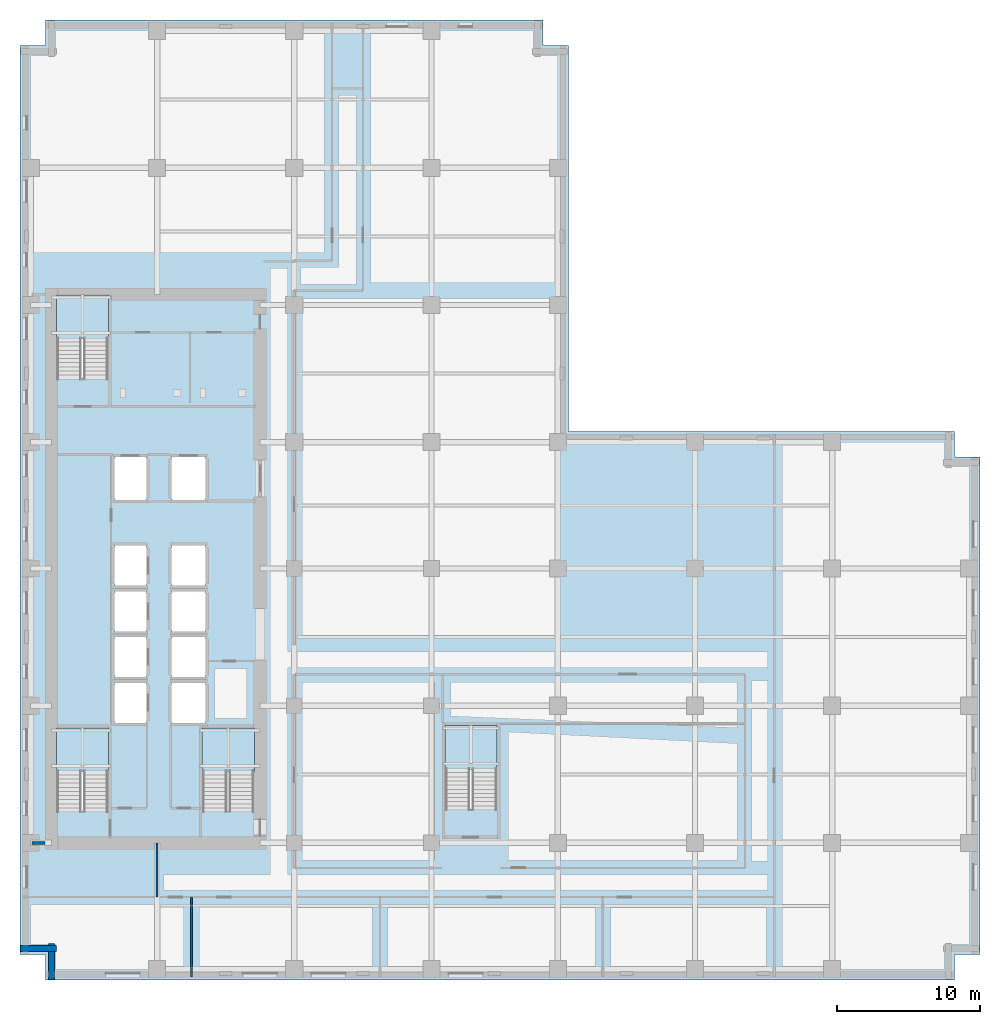
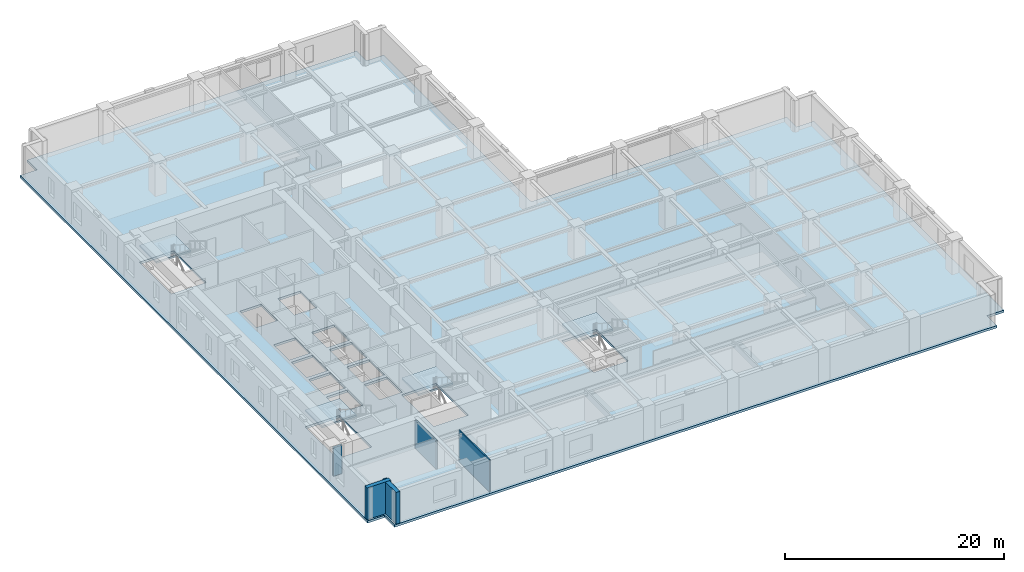
# One storey, part 3 of 13: 5 slabs, 5 walls, 4 elements without a shape of their own.
"""IFC4 building model written with IfcOpenShell, lengths in metres."""

from ifc_helpers import new_model, si_unit, direction, frame, frame_2d, origin, place, context, subcontext, project, spatial, polyline, rectangle, outline, extrude, material, layer, layer_set, type_object, element, aggregate, save


model = new_model("IFC4")

# Units and contexts
model_context = context("Model", 3, precision=1e-05, world=origin(), true_north=direction((0.0, 1.0)))
body_context = subcontext(model_context, "Body", "Model", "MODEL_VIEW")
ifc_project = project(units=[si_unit("LENGTHUNIT", "METRE"), si_unit("AREAUNIT", "SQUARE_METRE"), si_unit("VOLUMEUNIT", "CUBIC_METRE"), si_unit("PLANEANGLEUNIT", "RADIAN"), si_unit("MASSUNIT", "GRAM", prefix="KILO")], contexts=[model_context])

# Site, building, storey
site_placement = place(None, origin())
site = spatial("IfcSite", under=ifc_project, at=site_placement, CompositionType="ELEMENT")
building_placement = place(site_placement, origin())
building = spatial("IfcBuilding", under=site, at=building_placement, Name="Norrvale University Quadrangle", CompositionType="ELEMENT")
storey_placement = place(building_placement, frame((0.0, 0.0, 43.199951171875)))
storey = spatial("IfcBuildingStorey", under=building, at=storey_placement, Name="L10", CompositionType="ELEMENT", Elevation=43.199951171875)

# Stair, slab
ifc_material_1 = material(Name="Concrete C40/50", Category="concrete")
stair_type = type_object("IfcStairType", Name="Stair Tower Typ 3800", PredefinedType="TWO_STRAIGHT_RUN_STAIR", material=ifc_material_1)
stair_1_placement = place(storey_placement, origin())
stair_1 = element("IfcStair", 1, at=stair_1_placement, inside=storey, type_object=stair_type, Name="Exit Stair ST-01 L10", PredefinedType="TWO_STRAIGHT_RUN_STAIR")
ifc_layer_1 = layer(ifc_material_1, 0.199951171875, Name="Concrete C40/50")
ifc_layer_set_1 = layer_set([ifc_layer_1], Name="Concrete C40/50")
slab_type_1 = type_object("IfcSlabType", Name="Slab Landing 200", PredefinedType="LANDING", material=ifc_layer_set_1)
slab_1_placement = place(storey_placement, frame((0.0, 0.0, 1.699951171875)))
slab_1 = element("IfcSlab", 2, at=slab_1_placement, type_object=slab_type_1, Name="Exit Stair ST-01 L10 Mid Landing", PredefinedType="LANDING", context=body_context, shape_type="SweptSolid", body=[
    extrude(outline(polyline([(2.550048828125, 14.590087890625), (6.199951171875, 14.590087890625), (6.199951171875, 17.64990234375), (2.550048828125, 17.64990234375), (2.550048828125, 14.590087890625)])), origin(), (0.0, 0.0, 1.0), 0.2001953125),
])
aggregate(stair_1, [slab_1])

stair_2_placement = place(storey_placement, origin())
stair_2 = element("IfcStair", 3, at=stair_2_placement, inside=storey, type_object=stair_type, Name="Exit Stair ST-02 L10", PredefinedType="TWO_STRAIGHT_RUN_STAIR")
slab_2_placement = place(storey_placement, frame((0.0, 0.0, 1.699951171875)))
slab_2 = element("IfcSlab", 4, at=slab_2_placement, type_object=slab_type_1, Name="Exit Stair ST-02 L10 Mid Landing", PredefinedType="LANDING", context=body_context, shape_type="SweptSolid", body=[
    extrude(outline(polyline([(2.550048828125, 44.889892578125), (6.199951171875, 44.889892578125), (6.199951171875, 47.949951171875), (2.550048828125, 47.949951171875), (2.550048828125, 44.889892578125)])), origin(), (0.0, 0.0, 1.0), 0.2001953125),
])
aggregate(stair_2, [slab_2])

stair_3_placement = place(storey_placement, origin())
stair_3 = element("IfcStair", 5, at=stair_3_placement, inside=storey, type_object=stair_type, Name="Exit Stair ST-03 L10", PredefinedType="TWO_STRAIGHT_RUN_STAIR")
slab_3_placement = place(storey_placement, frame((0.0, 0.0, 1.699951171875)))
slab_3 = element("IfcSlab", 6, at=slab_3_placement, type_object=slab_type_1, Name="Exit Stair ST-03 L10 Mid Landing", PredefinedType="LANDING", context=body_context, shape_type="SweptSolid", body=[
    extrude(outline(polyline([(12.75, 14.590087890625), (16.39990234375, 14.590087890625), (16.39990234375, 17.64990234375), (12.75, 17.64990234375), (12.75, 14.590087890625)])), origin(), (0.0, 0.0, 1.0), 0.2001953125),
])
aggregate(stair_3, [slab_3])

stair_4_placement = place(storey_placement, origin())
stair_4 = element("IfcStair", 7, at=stair_4_placement, inside=storey, type_object=stair_type, Name="Exit Stair ST-04 L10", PredefinedType="TWO_STRAIGHT_RUN_STAIR")
slab_4_placement = place(storey_placement, frame((0.0, 0.0, 1.699951171875)))
slab_4 = element("IfcSlab", 8, at=slab_4_placement, type_object=slab_type_1, Name="Exit Stair ST-04 L10 Mid Landing", PredefinedType="LANDING", context=body_context, shape_type="SweptSolid", body=[
    extrude(outline(polyline([(29.75, 14.739990234375), (33.39990234375, 14.739990234375), (33.39990234375, 17.800048828125), (29.75, 17.800048828125), (29.75, 14.739990234375)])), origin(), (0.0, 0.0, 1.0), 0.2001953125),
])
aggregate(stair_4, [slab_4])

# Slab
ifc_layer_2 = layer(ifc_material_1, 0.260009765625, Name="Concrete C40/50")
ifc_layer_set_2 = layer_set([ifc_layer_2], Name="Concrete C40/50")
slab_type_2 = type_object("IfcSlabType", Name="Slab Tower Typ 260", PredefinedType="FLOOR", material=ifc_layer_set_2)
slab_5_placement = place(storey_placement, frame((0.0, 0.0, -0.260009765625)))
element("IfcSlab", 9, at=slab_5_placement, inside=storey, type_object=slab_type_2, Name="Tower L10 Floor Slab", PredefinedType="FLOOR", context=body_context, shape_type="SweptSolid", body=[
    extrude(outline(polyline([(1.800048828125, 0.0), (65.39990234375, 0.0), (65.39990234375, 1.800048828125), (67.199951171875, 1.800048828125), (67.199951171875, 36.60009765625), (65.39990234375, 36.60009765625), (65.39990234375, 38.39990234375), (38.39990234375, 38.39990234375), (38.39990234375, 65.39990234375), (36.60009765625, 65.39990234375), (36.60009765625, 67.199951171875), (1.800048828125, 67.199951171875), (1.800048828125, 65.39990234375), (0.0, 65.39990234375), (0.0, 1.800048828125), (1.800048828125, 1.800048828125), (1.800048828125, 0.0)]), holes=[polyline([(2.550048828125, 11.81005859375), (6.199951171875, 11.81005859375), (6.199951171875, 17.64990234375), (2.550048828125, 17.64990234375), (2.550048828125, 11.81005859375)]), polyline([(2.550048828125, 42.110107421875), (6.199951171875, 42.110107421875), (6.199951171875, 47.949951171875), (2.550048828125, 47.949951171875), (2.550048828125, 42.110107421875)]), polyline([(12.75, 11.81005859375), (16.39990234375, 11.81005859375), (16.39990234375, 17.64990234375), (12.75, 17.64990234375), (12.75, 11.81005859375)]), polyline([(29.75, 11.9599609375), (33.39990234375, 11.9599609375), (33.39990234375, 17.800048828125), (29.75, 17.800048828125), (29.75, 11.9599609375)]), polyline([(6.60009765625, 18.0), (8.85009765625, 18.0), (8.85009765625, 20.800048828125), (6.60009765625, 20.800048828125), (6.60009765625, 18.0)]), polyline([(6.60009765625, 21.199951171875), (8.85009765625, 21.199951171875), (8.85009765625, 24.0), (6.60009765625, 24.0), (6.60009765625, 21.199951171875)]), polyline([(6.60009765625, 24.39990234375), (8.85009765625, 24.39990234375), (8.85009765625, 27.199951171875), (6.60009765625, 27.199951171875), (6.60009765625, 24.39990234375)]), polyline([(6.60009765625, 27.60009765625), (8.85009765625, 27.60009765625), (8.85009765625, 30.39990234375), (6.60009765625, 30.39990234375), (6.60009765625, 27.60009765625)]), polyline([(10.60009765625, 18.0), (13.0, 18.0), (13.0, 20.800048828125), (10.60009765625, 20.800048828125), (10.60009765625, 18.0)]), polyline([(10.60009765625, 21.199951171875), (13.0, 21.199951171875), (13.0, 24.0), (10.60009765625, 24.0), (10.60009765625, 21.199951171875)]), polyline([(10.60009765625, 24.39990234375), (13.0, 24.39990234375), (13.0, 27.199951171875), (10.60009765625, 27.199951171875), (10.60009765625, 24.39990234375)]), polyline([(10.60009765625, 27.60009765625), (13.0, 27.60009765625), (13.0, 30.39990234375), (10.60009765625, 30.39990234375), (10.60009765625, 27.60009765625)]), polyline([(6.60009765625, 33.60009765625), (8.85009765625, 33.60009765625), (8.85009765625, 36.60009765625), (6.60009765625, 36.60009765625), (6.60009765625, 33.60009765625)]), polyline([(10.60009765625, 33.60009765625), (13.0, 33.60009765625), (13.0, 36.60009765625), (10.60009765625, 36.60009765625), (10.60009765625, 33.60009765625)])]), origin(), (0.0, 0.0, 1.0), 0.260009765625),
])

# Walls
ifc_material_2 = material(Name="Buff Norman Clay Brick Masonry", Category="masonry")
ifc_layer_3 = layer(ifc_material_2, 0.419921875, Name="Buff Norman Clay Brick Masonry")
ifc_layer_set_3 = layer_set([ifc_layer_3], Name="Buff Norman Clay Brick Masonry")
wall_type_1 = type_object("IfcWallType", Name="Wall Buff Brick 420", PredefinedType="SOLIDWALL", material=ifc_layer_set_3)
for number, where, z_axis, x_axis, name in (
    (10, (0.0400390625, 2.18994140625, 0.0), (0.0, 0.0, 1.0), (1.0, 0.0, 0.0), "Exterior Brick Facade Wall L10-15.1"),
    (11, (2.18994140625, 2.5400390625, 0.0), (0.0, 0.0, 1.0), (0.0, -1.0, 0.0), "Exterior Brick Facade Wall L10-16.1"),
):
    element("IfcWall", number, at=place(storey_placement, frame(where, z_axis=z_axis, x_axis=x_axis)), inside=storey, type_object=wall_type_1, Name=name, PredefinedType="SOLIDWALL", context=body_context, shape_type="SweptSolid", body=[
        extrude(rectangle(XDim=2.5, YDim=0.419921875, at=frame_2d((1.25, 0.0))), origin(), (0.0, 0.0, 1.0), 3.5400390625),
    ])
ifc_material_3 = material(Name="Standard Academic Gypsum Partition")
ifc_layer_4 = layer(ifc_material_3, 0.125, Name="Standard Academic Gypsum Partition")
ifc_layer_set_4 = layer_set([ifc_layer_4], Name="Standard Academic Gypsum Partition")
wall_type_2 = type_object("IfcWallType", Name="Wall Gypsum Academic 125", PredefinedType="PARTITIONING", material=ifc_layer_set_4)
wall_1_placement = place(storey_placement, frame((12.0, 0.219970703125, 0.0), z_axis=(0.0, 0.0, 1.0), x_axis=(0.0, 1.0, 0.0)))
element("IfcWall", 12, at=wall_1_placement, inside=storey, type_object=wall_type_2, Name="Interior Partition WL-L10-SP01", PredefinedType="PARTITIONING", context=body_context, shape_type="SweptSolid", body=[
    extrude(rectangle(XDim=5.580078125, YDim=0.125, at=frame_2d((2.7900390625, 0.0))), origin(), (0.0, 0.0, 1.0), 3.5400390625),
])
ifc_material_4 = material(Name="Fire-Rated Gypsum Stud Partition")
ifc_layer_5 = layer(ifc_material_4, 0.14990234375, Name="Fire-Rated Gypsum Stud Partition")
ifc_layer_set_5 = layer_set([ifc_layer_5], Name="Fire-Rated Gypsum Stud Partition")
wall_type_3 = type_object("IfcWallType", Name="Wall Gypsum Corridor 150", PredefinedType="PARTITIONING", material=ifc_layer_set_5)
wall_2_placement = place(storey_placement, frame((9.60009765625, 5.800048828125, 0.0), z_axis=(0.0, 0.0, 1.0), x_axis=(0.0, 1.0, 0.0)))
element("IfcWall", 13, at=wall_2_placement, inside=storey, type_object=wall_type_3, Name="Interior Partition WL-L10-CSW-END", PredefinedType="PARTITIONING", context=body_context, shape_type="SweptSolid", body=[
    extrude(rectangle(XDim=3.800048828125, YDim=0.14990234375, at=frame_2d((1.89990234375, 0.0))), origin(), (0.0, 0.0, 1.0), 3.18408203125),
])
ifc_material_5 = material(Name="Concrete Blockwork 20 MPa Rated Wall", Category="masonry")
ifc_layer_6 = layer(ifc_material_5, 0.199951171875, Name="Concrete Blockwork 20 MPa Rated Wall")
ifc_layer_set_6 = layer_set([ifc_layer_6], Name="Concrete Blockwork 20 MPa Rated Wall")
wall_type_4 = type_object("IfcWallType", Name="Wall Lobby 200", PredefinedType="SOLIDWALL", material=ifc_layer_set_6)
wall_3_placement = place(storey_placement, frame((0.85009765625, 9.60009765625, 0.0), z_axis=(0.0, 0.0, 1.0), x_axis=(1.0, 0.0, 0.0)))
element("IfcWall", 14, at=wall_3_placement, inside=storey, type_object=wall_type_4, Name="Interior Partition WL-L10-CWRET-S", PredefinedType="SOLIDWALL", context=body_context, shape_type="SweptSolid", body=[
    extrude(rectangle(XDim=0.89501953125, YDim=0.199951171875, at=frame_2d((0.447509765625, 0.0))), origin(), (0.0, 0.0, 1.0), 3.18408203125),
])

save(model, "model.ifc")
